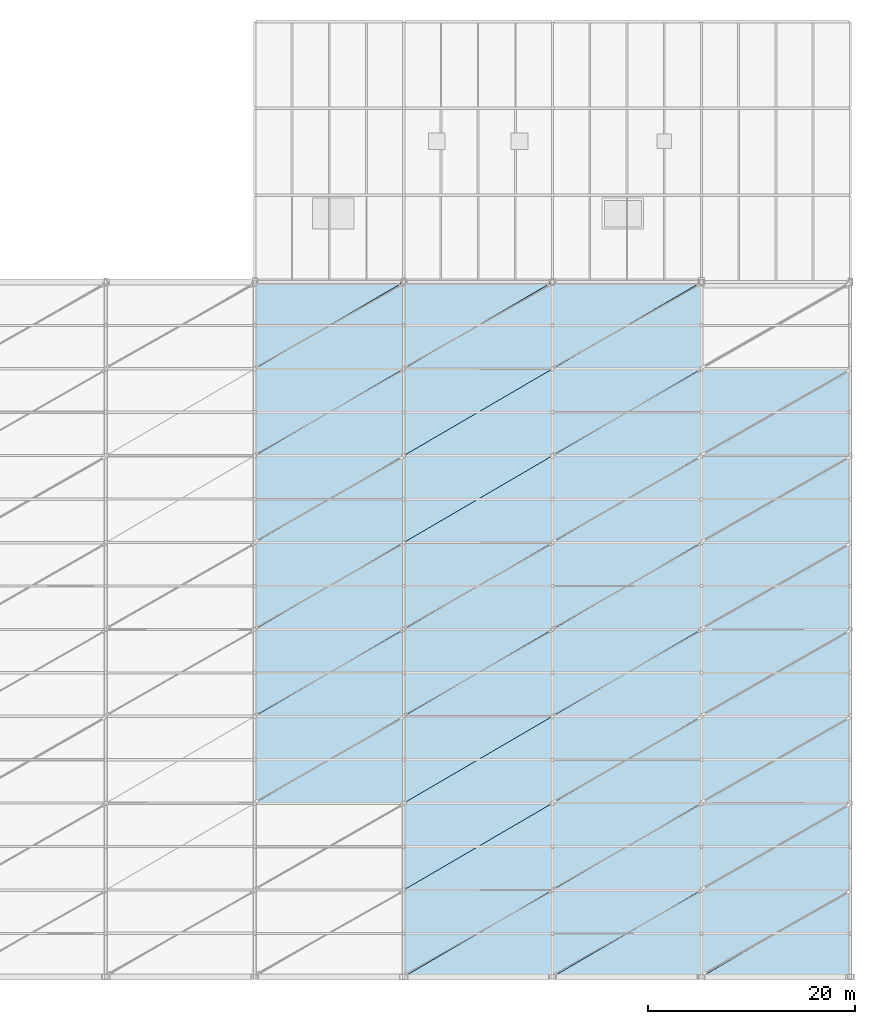
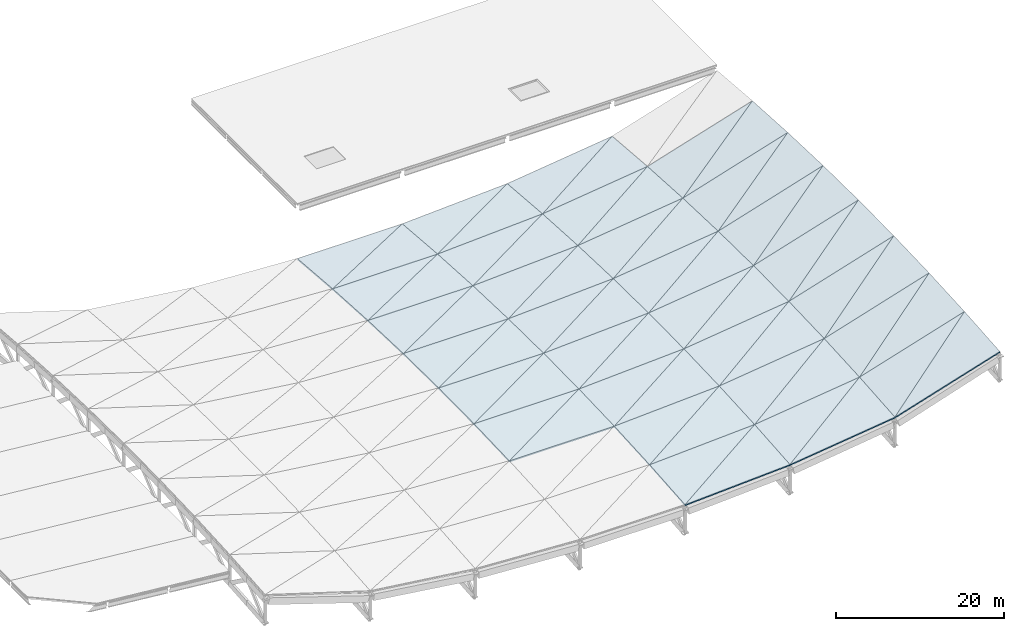
# One storey, part 13 of 22: 58 slabs.
"""IFC4 building model written with IfcOpenShell, lengths in metres."""

from ifc_helpers import new_model, si_unit, direction, frame, origin, place, context, subcontext, project, spatial, polyline, outline, extrude, material, layer, layer_set, type_object, element, save


model = new_model("IFC4")

# Units and contexts
model_context = context("Model", 3, precision=1e-05, world=origin(), true_north=direction((0.0, 1.0)))
body_context = subcontext(model_context, "Body", "Model", "MODEL_VIEW")
ifc_project = project(units=[si_unit("LENGTHUNIT", "METRE"), si_unit("AREAUNIT", "SQUARE_METRE"), si_unit("VOLUMEUNIT", "CUBIC_METRE"), si_unit("PLANEANGLEUNIT", "RADIAN"), si_unit("MASSUNIT", "GRAM", prefix="KILO"), si_unit("THERMODYNAMICTEMPERATUREUNIT", "KELVIN")], contexts=[model_context])

# Site, building, storey
site_placement = place(None, origin())
site = spatial("IfcSite", under=ifc_project, at=site_placement, CompositionType="ELEMENT")
building_placement = place(site_placement, origin())
building = spatial("IfcBuilding", under=site, at=building_placement, Name="Nduvali Passage Aquatics Centre", CompositionType="ELEMENT")
storey_placement = place(building_placement, frame((0.0, 0.0, 21.60009765625)))
storey = spatial("IfcBuildingStorey", under=building, at=storey_placement, Name="RF", CompositionType="ELEMENT", Elevation=21.60009765625)

# Slabs
ifc_material = material(Name="Glulam GL28h", Category="wood")
ifc_layer = layer(ifc_material, 0.169921875, Name="Glulam GL28h")
ifc_layer_set = layer_set([ifc_layer], Name="Glulam GL28h")
slab_type = type_object("IfcSlabType", Name="STR-SLB-ROOF170", PredefinedType="ROOF", material=ifc_layer_set)
slab_1_placement = place(storey_placement, frame((68.39990234375, 42.0, -6.70556640625), z_axis=(0.0, -0.035697746763, 0.999362632319), x_axis=(1.0, 0.0, 0.0)))
element("IfcSlab", 1, at=slab_1_placement, inside=storey, type_object=slab_type, Name="Pool Hall Saddle Roof Deck Panel B4-P3-T1", PredefinedType="ROOF", context=body_context, shape_type="SweptSolid", body=[
    extrude(outline(polyline([(0.0, 0.0), (14.400146484375, 0.0), (14.400146484375, 8.405259584557513), (0.0, 0.0)])), origin(), (0.0, 0.0, -1.0), 0.169921875),
])
slab_2_placement = place(storey_placement, frame((68.39990234375, 42.0, -6.70556640625), z_axis=(0.0, -0.035697746763, 0.999362632319), x_axis=(0.863643809628, 0.503781240596, 0.017995324789)))
element("IfcSlab", 2, at=slab_2_placement, inside=storey, type_object=slab_type, Name="Pool Hall Saddle Roof Deck Panel B4-P3-T2", PredefinedType="ROOF", context=body_context, shape_type="SweptSolid", body=[
    extrude(outline(polyline([(0.0, 0.0), (16.673710068705574, -1.9116652705264414e-15), (4.237112699734054, 7.259150408522222), (0.0, 0.0)])), origin(), (0.0, 0.0, -1.0), 0.169921875),
])
slab_3_placement = place(storey_placement, frame((68.39990234375, 50.39990234375, -6.405517578125), z_axis=(0.0, -0.011886276237, 0.999929355723), x_axis=(1.0, 0.0, 0.0)))
element("IfcSlab", 3, at=slab_3_placement, inside=storey, type_object=slab_type, Name="Pool Hall Saddle Roof Deck Panel B4-P4-T1", PredefinedType="ROOF", context=body_context, shape_type="SweptSolid", body=[
    extrude(outline(polyline([(0.0, 0.0), (14.400146484375, 0.0), (14.400146484375, 8.400739948572408), (0.0, 0.0)])), origin(), (0.0, 0.0, -1.0), 0.169921875),
])
slab_4_placement = place(storey_placement, frame((68.39990234375, 50.39990234375, -6.405517578125), z_axis=(0.0, -0.011886276237, 0.999929355723), x_axis=(0.863761813698, 0.503864719053, 0.005989498361)))
element("IfcSlab", 4, at=slab_4_placement, inside=storey, type_object=slab_type, Name="Pool Hall Saddle Roof Deck Panel B4-P4-T2", PredefinedType="ROOF", context=body_context, shape_type="SweptSolid", body=[
    extrude(outline(polyline([(0.0, 0.0), (16.67143216568385, 1.463672932855431e-15), (4.233135520822576, 7.256238374384522), (0.0, 0.0)])), origin(), (0.0, 0.0, -1.0), 0.169921875),
])
slab_5_placement = place(storey_placement, frame((68.39990234375, 58.800048828125, -6.3056640625), z_axis=(0.0, 0.011886621659, 0.999929351617), x_axis=(1.0, 0.0, 0.0)))
element("IfcSlab", 5, at=slab_5_placement, inside=storey, type_object=slab_type, Name="Pool Hall Saddle Roof Deck Panel B4-P5-T1", PredefinedType="ROOF", context=body_context, shape_type="SweptSolid", body=[
    extrude(outline(polyline([(0.0, 0.0), (14.400146484375, 0.0), (14.400146484375, 8.400495825195048), (0.0, 0.0)])), origin(), (0.0, 0.0, -1.0), 0.169921875),
])
slab_6_placement = place(storey_placement, frame((68.39990234375, 58.800048828125, -6.3056640625), z_axis=(0.0, 0.011886621659, 0.999929351617), x_axis=(0.863768187133, 0.503853792559, -0.005989542555)))
element("IfcSlab", 6, at=slab_6_placement, inside=storey, type_object=slab_type, Name="Pool Hall Saddle Roof Deck Panel B4-P5-T2", PredefinedType="ROOF", context=body_context, shape_type="SweptSolid", body=[
    extrude(outline(polyline([(0.0, 0.0), (16.671309153170217, 3.172375556692586e-16), (4.232920729905613, 7.256081049950776), (0.0, 0.0)])), origin(), (0.0, 0.0, -1.0), 0.169921875),
])
slab_7_placement = place(storey_placement, frame((68.39990234375, 67.199951171875, -6.405517578125), z_axis=(0.0, 0.035696710571, 0.999362669332), x_axis=(1.0, 0.0, 0.0)))
element("IfcSlab", 7, at=slab_7_placement, inside=storey, type_object=slab_type, Name="Pool Hall Saddle Roof Deck Panel B4-P6-T1", PredefinedType="ROOF", context=body_context, shape_type="SweptSolid", body=[
    extrude(outline(polyline([(0.0, 0.0), (14.400146484375, 0.0), (14.400146484375, 8.405503569579686), (0.0, 0.0)])), origin(), (0.0, 0.0, -1.0), 0.169921875),
])
slab_8_placement = place(storey_placement, frame((68.39990234375, 67.199951171875, -6.405517578125), z_axis=(0.0, 0.035696710571, 0.999362669332), x_axis=(0.863637438946, 0.503792166587, -0.017995192046)))
element("IfcSlab", 8, at=slab_8_placement, inside=storey, type_object=slab_type, Name="Pool Hall Saddle Roof Deck Panel B4-P6-T2", PredefinedType="ROOF", context=body_context, shape_type="SweptSolid", body=[
    extrude(outline(polyline([(0.0, 0.0), (16.67383306350626, 8.344019919448442e-16), (4.237327433297434, 7.259307575880901), (0.0, 0.0)])), origin(), (0.0, 0.0, -1.0), 0.169921875),
])
slab_9_placement = place(storey_placement, frame((68.39990234375, 75.60009765625, -6.70556640625), z_axis=(0.0, 0.059419328339, 0.998233110761), x_axis=(1.0, 0.0, 0.0)))
element("IfcSlab", 9, at=slab_9_placement, inside=storey, type_object=slab_type, Name="Pool Hall Saddle Roof Deck Panel B4-P7-T1", PredefinedType="ROOF", context=body_context, shape_type="SweptSolid", body=[
    extrude(outline(polyline([(0.0, 0.0), (14.400146484375, 0.0), (14.400146484375, 8.414770310860346), (0.0, 0.0)])), origin(), (0.0, 0.0, -1.0), 0.169921875),
])
slab_10_placement = place(storey_placement, frame((68.39990234375, 75.60009765625, -6.70556640625), z_axis=(0.0, 0.059419328339, 0.998233110761), x_axis=(0.863395442994, 0.503636363217, -0.029978703478)))
element("IfcSlab", 10, at=slab_10_placement, inside=storey, type_object=slab_type, Name="Pool Hall Saddle Roof Deck Panel B4-P7-T2", PredefinedType="ROOF", context=body_context, shape_type="SweptSolid", body=[
    extrude(outline(polyline([(0.0, 0.0), (16.67850647258304, 6.938893903907228e-16), (4.245485619526848, 7.265274340238467), (0.0, 0.0)])), origin(), (0.0, 0.0, -1.0), 0.169921875),
])
slab_11_placement = place(storey_placement, frame((68.39990234375, 84.0, -7.20556640625), z_axis=(0.0, 0.08304068576, 0.996546157741), x_axis=(1.0, 0.0, 0.0)))
element("IfcSlab", 11, at=slab_11_placement, inside=storey, type_object=slab_type, Name="Pool Hall Saddle Roof Deck Panel B4-P8-T1", PredefinedType="ROOF", context=body_context, shape_type="SweptSolid", body=[
    extrude(outline(polyline([(0.0, 0.0), (14.400146484375, 0.0), (14.400146484375, 8.429014831375367), (0.0, 0.0)])), origin(), (0.0, 0.0, -1.0), 0.169921875),
])
slab_12_placement = place(storey_placement, frame((68.39990234375, 84.0, -7.20556640625), z_axis=(0.0, 0.08304068576, 0.996546157741), x_axis=(0.863023332313, 0.503419303385, -0.041949169994)))
element("IfcSlab", 12, at=slab_12_placement, inside=storey, type_object=slab_type, Name="Pool Hall Saddle Roof Deck Panel B4-P8-T2", PredefinedType="ROOF", context=body_context, shape_type="SweptSolid", body=[
    extrude(outline(polyline([(0.0, 0.0), (16.685697761825953, -3.0531133177191805e-16), (4.258035357088415, 7.274436467887453), (0.0, 0.0)])), origin(), (0.0, 0.0, -1.0), 0.169921875),
])
slab_13_placement = place(storey_placement, frame((82.800048828125, 25.199951171875, -7.905517578125), z_axis=(-0.054660457866, -0.082914146649, 0.99505652032), x_axis=(0.99849464295, 0.0, 0.054849320863)))
element("IfcSlab", 13, at=slab_13_placement, inside=storey, type_object=slab_type, Name="Pool Hall Saddle Roof Deck Panel B5-P1-T1", PredefinedType="ROOF", context=body_context, shape_type="SweptSolid", body=[
    extrude(outline(polyline([(0.0, 0.0), (14.421612019068148, 1.3877787807814457e-17), (14.460003865482967, 8.429170698716199), (0.0, 0.0)])), origin(), (0.0, 0.0, -1.0), 0.169921875),
])
slab_14_placement = place(storey_placement, frame((82.800048828125, 25.199951171875, -7.905517578125), z_axis=(-0.054660457866, -0.082914146649, 0.99505652032), x_axis=(0.860339664399, 0.501876959631, 0.089079623114)))
element("IfcSlab", 14, at=slab_14_placement, inside=storey, type_object=slab_type, Name="Pool Hall Saddle Roof Deck Panel B5-P1-T2", PredefinedType="ROOF", context=body_context, shape_type="SweptSolid", body=[
    extrude(outline(polyline([(0.0, 0.0), (16.737461888168056, 1.3877787807814457e-16), (4.278191364622397, 7.262883122399618), (0.0, 0.0)])), origin(), (0.0, 0.0, -1.0), 0.169921875),
])
slab_15_placement = place(storey_placement, frame((82.800048828125, 33.60009765625, -7.20556640625), z_axis=(-0.054752698975, -0.059330196132, 0.996735707087), x_axis=(0.99849464295, 0.0, 0.054849320863)))
element("IfcSlab", 15, at=slab_15_placement, inside=storey, type_object=slab_type, Name="Pool Hall Saddle Roof Deck Panel B5-P2-T1", PredefinedType="ROOF", context=body_context, shape_type="SweptSolid", body=[
    extrude(outline(polyline([(0.0, 0.0), (14.421612019068148, 0.0), (14.449036679499802, 8.41472562075181), (0.0, 0.0)])), origin(), (0.0, 0.0, -1.0), 0.169921875),
])
slab_16_placement = place(storey_placement, frame((82.800048828125, 33.60009765625, -7.20556640625), z_axis=(-0.054752698975, -0.059330196132, 0.996735707087), x_axis=(0.861201415256, 0.502365058718, 0.077210557185)))
element("IfcSlab", 16, at=slab_16_placement, inside=storey, type_object=slab_type, Name="Pool Hall Saddle Roof Deck Panel B5-P2-T2", PredefinedType="ROOF", context=body_context, shape_type="SweptSolid", body=[
    extrude(outline(polyline([(0.0, 0.0), (16.72071374786578, 7.806255641895632e-16), (4.258422712734088, 7.257699041997209), (0.0, 0.0)])), origin(), (0.0, 0.0, -1.0), 0.169921875),
])
slab_17_placement = place(storey_placement, frame((82.800048828125, 42.0, -6.70556640625), z_axis=(-0.054814466752, -0.035644077233, 0.997860147512), x_axis=(0.99849464295, 0.0, 0.054849320863)))
element("IfcSlab", 17, at=slab_17_placement, inside=storey, type_object=slab_type, Name="Pool Hall Saddle Roof Deck Panel B5-P3-T1", PredefinedType="ROOF", context=body_context, shape_type="SweptSolid", body=[
    extrude(outline(polyline([(0.0, 0.0), (14.421612019068148, 3.469446951953614e-18), (14.438069493516636, 8.405243472697903), (0.0, 0.0)])), origin(), (0.0, 0.0, -1.0), 0.169921875),
])
slab_18_placement = place(storey_placement, frame((82.800048828125, 42.0, -6.70556640625), z_axis=(-0.054814466752, -0.035644077233, 0.997860147512), x_axis=(0.861935930412, 0.502793523817, 0.065307918908)))
element("IfcSlab", 18, at=slab_18_placement, inside=storey, type_object=slab_type, Name="Pool Hall Saddle Roof Deck Panel B5-P3-T2", PredefinedType="ROOF", context=body_context, shape_type="SweptSolid", body=[
    extrude(outline(polyline([(0.0, 0.0), (16.70646487246618, -9.75781955236954e-17), (4.243012063667166, 7.255703777813067), (0.0, 0.0)])), origin(), (0.0, 0.0, -1.0), 0.169921875),
])
slab_19_placement = place(storey_placement, frame((82.800048828125, 50.39990234375, -6.405517578125), z_axis=(-0.054845438817, -0.011897399625, 0.998423972931), x_axis=(0.99849464295, 0.0, 0.054849320863)))
element("IfcSlab", 19, at=slab_19_placement, inside=storey, type_object=slab_type, Name="Pool Hall Saddle Roof Deck Panel B5-P4-T1", PredefinedType="ROOF", context=body_context, shape_type="SweptSolid", body=[
    extrude(outline(polyline([(0.0, 0.0), (14.421612019068148, 0.0), (14.42710230753347, 8.400741059958756), (0.0, 0.0)])), origin(), (0.0, 0.0, -1.0), 0.169921875),
])
slab_20_placement = place(storey_placement, frame((82.800048828125, 50.39990234375, -6.405517578125), z_axis=(-0.054862334397, -0.011868374649, 0.998423390125), x_axis=(0.862542223577, 0.503161816938, 0.053376947476)))
element("IfcSlab", 20, at=slab_20_placement, inside=storey, type_object=slab_type, Name="Pool Hall Saddle Roof Deck Panel B5-P4-T2", PredefinedType="ROOF", context=body_context, shape_type="SweptSolid", body=[
    extrude(outline(polyline([(0.0, 0.0), (16.694721661307042, 1.1362438767648086e-15), (4.231962843481109, 7.256922362471273), (0.0, 0.0)])), origin(), (0.0, 0.0, -1.0), 0.169921875),
])
slab_21_placement = place(storey_placement, frame((82.800048828125, 58.800048828125, -6.3056640625), z_axis=(-0.054862315254, 0.011897734323, 0.998423041743), x_axis=(0.998493715673, 0.0, 0.054866198713)))
element("IfcSlab", 21, at=slab_21_placement, inside=storey, type_object=slab_type, Name="Pool Hall Saddle Roof Deck Panel B5-P5-T1", PredefinedType="ROOF", context=body_context, shape_type="SweptSolid", body=[
    extrude(outline(polyline([(0.0, 0.0), (14.421625412075912, 0.0), (14.416133434177382, 8.400496935509366), (0.0, 0.0)])), origin(), (0.0, 0.0, -1.0), 0.169921875),
])
slab_22_placement = place(storey_placement, frame((82.800048828125, 58.800048828125, -6.3056640625), z_axis=(-0.054845457504, 0.011868730572, 0.998424313118), x_axis=(0.863038549365, 0.50343671509, 0.041423860385)))
element("IfcSlab", 22, at=slab_22_placement, inside=storey, type_object=slab_type, Name="Pool Hall Saddle Roof Deck Panel B5-P5-T2", PredefinedType="ROOF", context=body_context, shape_type="SweptSolid", body=[
    extrude(outline(polyline([(0.0, 0.0), (16.685120675485365, -2.1163626406917047e-16), (4.224682924925765, 7.260880407564919), (0.0, 0.0)])), origin(), (0.0, 0.0, -1.0), 0.169921875),
])
slab_23_placement = place(storey_placement, frame((82.800048828125, 67.199951171875, -6.405517578125), z_axis=(-0.054814468776, 0.035643042595, 0.997860184358), x_axis=(0.99849464295, 0.0, 0.054849320863)))
element("IfcSlab", 23, at=slab_23_placement, inside=storey, type_object=slab_type, Name="Pool Hall Saddle Roof Deck Panel B5-P6-T1", PredefinedType="ROOF", context=body_context, shape_type="SweptSolid", body=[
    extrude(outline(polyline([(0.0, 0.0), (14.421612019068148, -6.938893903907228e-18), (14.405154544619661, 8.405487458187755), (0.0, 0.0)])), origin(), (0.0, 0.0, -1.0), 0.169921875),
])
slab_24_placement = place(storey_placement, frame((82.800048828125, 67.199951171875, -6.405517578125), z_axis=(-0.054814468776, 0.035643042595, 0.997860184358), x_axis=(0.863399243883, 0.503661757558, 0.02943772472)))
element("IfcSlab", 24, at=slab_24_placement, inside=storey, type_object=slab_type, Name="Pool Hall Saddle Roof Deck Panel B5-P6-T2", PredefinedType="ROOF", context=body_context, shape_type="SweptSolid", body=[
    extrude(outline(polyline([(0.0, 0.0), (16.678150283053817, 9.055256544598933e-16), (4.221999787257812, 7.268232801349435), (0.0, 0.0)])), origin(), (0.0, 0.0, -1.0), 0.169921875),
])
slab_25_placement = place(storey_placement, frame((82.800048828125, 75.60009765625, -6.70556640625), z_axis=(-0.054752698975, 0.059330196132, 0.996735707087), x_axis=(0.99849464295, 0.0, 0.054849320863)))
element("IfcSlab", 25, at=slab_25_placement, inside=storey, type_object=slab_type, Name="Pool Hall Saddle Roof Deck Panel B5-P7-T1", PredefinedType="ROOF", context=body_context, shape_type="SweptSolid", body=[
    extrude(outline(polyline([(0.0, 0.0), (14.421612019068148, 0.0), (14.394187358636495, 8.41472562075181), (0.0, 0.0)])), origin(), (0.0, 0.0, -1.0), 0.169921875),
])
slab_26_placement = place(storey_placement, frame((82.800048828125, 75.60009765625, -6.70556640625), z_axis=(-0.054752698975, 0.059330196132, 0.996735707087), x_axis=(0.86364838207, 0.503792449112, 0.017453949873)))
element("IfcSlab", 26, at=slab_26_placement, inside=storey, type_object=slab_type, Name="Pool Hall Saddle Roof Deck Panel B5-P7-T2", PredefinedType="ROOF", context=body_context, shape_type="SweptSolid", body=[
    extrude(outline(polyline([(0.0, 0.0), (16.67333910733143, -1.033895191682177e-15), (4.223080399119065, 7.278320639207447), (0.0, 0.0)])), origin(), (0.0, 0.0, -1.0), 0.169921875),
])
slab_27_placement = place(storey_placement, frame((82.800048828125, 84.0, -7.20556640625), z_axis=(-0.054660446944, 0.082916539956, 0.995056321492), x_axis=(0.99849464295, 0.0, 0.054849320863)))
element("IfcSlab", 27, at=slab_27_placement, inside=storey, type_object=slab_type, Name="Pool Hall Saddle Roof Deck Panel B5-P8-T1", PredefinedType="ROOF", context=body_context, shape_type="SweptSolid", body=[
    extrude(outline(polyline([(0.0, 0.0), (14.421612019068148, -1.3877787807814457e-17), (14.383220172653328, 8.428927398766392), (0.0, 0.0)])), origin(), (0.0, 0.0, -1.0), 0.169921875),
])
slab_28_placement = place(storey_placement, frame((82.800048828125, 84.0, -7.20556640625), z_axis=(-0.054660446944, 0.082916539956, 0.995056321492), x_axis=(0.863767076318, 0.503861687087, 0.005462431241)))
element("IfcSlab", 28, at=slab_28_placement, inside=storey, type_object=slab_type, Name="Pool Hall Saddle Roof Deck Panel B5-P8-T2", PredefinedType="ROOF", context=body_context, shape_type="SweptSolid", body=[
    extrude(outline(polyline([(0.0, 0.0), (16.671047946325885, -6.071532165918825e-17), (4.228565531142389, 7.291606446893607), (0.0, 0.0)])), origin(), (0.0, 0.0, -1.0), 0.169921875),
])
slab_29_placement = place(storey_placement, frame((97.199951171875, 25.199951171875, -7.114501953125), z_axis=(-0.126024299833, -0.082376237496, 0.988601047616), x_axis=(0.991972462267, 0.0, 0.126454079036)))
element("IfcSlab", 29, at=slab_29_placement, inside=storey, type_object=slab_type, Name="Pool Hall Saddle Roof Deck Panel B6-P1-T1", PredefinedType="ROOF", context=body_context, shape_type="SweptSolid", body=[
    extrude(outline(polyline([(0.0, 0.0), (14.516679678256704, -2.7755575615628914e-17), (14.605191359066346, 8.42879340619564), (0.0, 0.0)])), origin(), (0.0, 0.0, -1.0), 0.169921875),
])
slab_30_placement = place(storey_placement, frame((97.199951171875, 25.199951171875, -7.114501953125), z_axis=(-0.126024299833, -0.082376237496, 0.988601047616), x_axis=(0.853956167912, 0.49814471745, 0.150368559753)))
element("IfcSlab", 30, at=slab_30_placement, inside=storey, type_object=slab_type, Name="Pool Hall Saddle Roof Deck Panel B6-P1-T2", PredefinedType="ROOF", context=body_context, shape_type="SweptSolid", body=[
    extrude(outline(polyline([(0.0, 0.0), (16.862863722371518, 1.8041124150158794e-16), (4.289739246608307, 7.256068480801105), (0.0, 0.0)])), origin(), (0.0, 0.0, -1.0), 0.169921875),
])
slab_31_placement = place(storey_placement, frame((97.199951171875, 33.60009765625, -6.41455078125), z_axis=(-0.126234212165, -0.058944001376, 0.990247710616), x_axis=(0.991972462267, 0.0, 0.126454079036)))
element("IfcSlab", 31, at=slab_31_placement, inside=storey, type_object=slab_type, Name="Pool Hall Saddle Roof Deck Panel B6-P2-T1", PredefinedType="ROOF", context=body_context, shape_type="SweptSolid", body=[
    extrude(outline(polyline([(0.0, 0.0), (14.516679678256704, -1.3877787807814457e-17), (14.579906717774719, 8.414532769322998), (0.0, 0.0)])), origin(), (0.0, 0.0, -1.0), 0.169921875),
])
slab_32_placement = place(storey_placement, frame((97.199951171875, 33.60009765625, -6.41455078125), z_axis=(-0.126234212165, -0.058944001376, 0.990247710616), x_axis=(0.855428691518, 0.498989192824, 0.138749915938)))
element("IfcSlab", 32, at=slab_32_placement, inside=storey, type_object=slab_type, Name="Pool Hall Saddle Roof Deck Panel B6-P2-T2", PredefinedType="ROOF", context=body_context, shape_type="SweptSolid", body=[
    extrude(outline(polyline([(0.0, 0.0), (16.833836212373665, 0.0), (4.260835448280179, 7.2562828409052385), (0.0, 0.0)])), origin(), (0.0, 0.0, -1.0), 0.169921875),
])
slab_33_placement = place(storey_placement, frame((97.199951171875, 42.0, -5.91455078125), z_axis=(-0.12637476889, -0.035411542552, 0.991350311667), x_axis=(0.991972462267, 0.0, 0.126454079036)))
element("IfcSlab", 33, at=slab_33_placement, inside=storey, type_object=slab_type, Name="Pool Hall Saddle Roof Deck Panel B6-P3-T1", PredefinedType="ROOF", context=body_context, shape_type="SweptSolid", body=[
    extrude(outline(polyline([(0.0, 0.0), (14.516679678256704, 0.0), (14.55462207648309, 8.405173945743941), (0.0, 0.0)])), origin(), (0.0, 0.0, -1.0), 0.169921875),
])
slab_34_placement = place(storey_placement, frame((97.199951171875, 42.0, -5.91455078125), z_axis=(-0.12637476889, -0.035411542552, 0.991350311667), x_axis=(0.856781348573, 0.499778225574, 0.127072601213)))
element("IfcSlab", 34, at=slab_34_placement, inside=storey, type_object=slab_type, Name="Pool Hall Saddle Roof Deck Panel B6-P3-T2", PredefinedType="ROOF", context=body_context, shape_type="SweptSolid", body=[
    extrude(outline(polyline([(0.0, 0.0), (16.807259528175965, 3.885780586188048e-16), (4.2362162734331426, 7.259673571759007), (0.0, 0.0)])), origin(), (0.0, 0.0, -1.0), 0.169921875),
])
slab_35_placement = place(storey_placement, frame((97.199951171875, 50.39990234375, -5.614501953125), z_axis=(-0.12644524558, -0.011819696541, 0.991903167978), x_axis=(0.991972462267, 0.0, 0.126454079036)))
element("IfcSlab", 35, at=slab_35_placement, inside=storey, type_object=slab_type, Name="Pool Hall Saddle Roof Deck Panel B6-P4-T1", PredefinedType="ROOF", context=body_context, shape_type="SweptSolid", body=[
    extrude(outline(polyline([(0.0, 0.0), (14.516679678256704, 0.0), (14.529337435191463, 8.400733318046335), (0.0, 0.0)])), origin(), (0.0, 0.0, -1.0), 0.169921875),
])
slab_36_placement = place(storey_placement, frame((97.199951171875, 50.39990234375, -5.614501953125), z_axis=(-0.12644524558, -0.011819696541, 0.991903167978), x_axis=(0.858012381833, 0.500510859429, 0.115341372523)))
element("IfcSlab", 36, at=slab_36_placement, inside=storey, type_object=slab_type, Name="Pool Hall Saddle Roof Deck Panel B6-P4-T2", PredefinedType="ROOF", context=body_context, shape_type="SweptSolid", body=[
    extrude(outline(polyline([(0.0, 0.0), (16.783145312681704, -1.2212453270876722e-15), (4.215909937283724, 7.266263407037812), (0.0, 0.0)])), origin(), (0.0, 0.0, -1.0), 0.169921875),
])
slab_37_placement = place(storey_placement, frame((97.199951171875, 58.800048828125, -5.514404296875), z_axis=(-0.126445245066, 0.011820040028, 0.99190316395), x_axis=(0.991972462267, 0.0, 0.126454079036)))
element("IfcSlab", 37, at=slab_37_placement, inside=storey, type_object=slab_type, Name="Pool Hall Saddle Roof Deck Panel B6-P5-T1", PredefinedType="ROOF", context=body_context, shape_type="SweptSolid", body=[
    extrude(outline(polyline([(0.0, 0.0), (14.516679678256704, 0.0), (14.504021921321945, 8.400489194476288), (0.0, 0.0)])), origin(), (0.0, 0.0, -1.0), 0.169921875),
])
slab_38_placement = place(storey_placement, frame((97.199951171875, 58.800048828125, -5.514404296875), z_axis=(-0.126445245066, 0.011820040028, 0.99190316395), x_axis=(0.859140289101, 0.50115424422, 0.103548960128)))
element("IfcSlab", 38, at=slab_38_placement, inside=storey, type_object=slab_type, Name="Pool Hall Saddle Roof Deck Panel B6-P5-T2", PredefinedType="ROOF", context=body_context, shape_type="SweptSolid", body=[
    extrude(outline(polyline([(0.0, 0.0), (16.761111854548922, -1.4710455076283324e-15), (4.19928170238624, 7.275603899974738), (0.0, 0.0)])), origin(), (0.0, 0.0, -1.0), 0.169921875),
])
slab_39_placement = place(storey_placement, frame((97.199951171875, 67.199951171875, -5.614501953125), z_axis=(-0.126374773495, 0.035410514646, 0.991350347797), x_axis=(0.991972462267, 0.0, 0.126454079036)))
element("IfcSlab", 39, at=slab_39_placement, inside=storey, type_object=slab_type, Name="Pool Hall Saddle Roof Deck Panel B6-P6-T1", PredefinedType="ROOF", context=body_context, shape_type="SweptSolid", body=[
    extrude(outline(polyline([(0.0, 0.0), (14.516679678256704, 0.0), (14.478737280030316, 8.405417933251963), (0.0, 0.0)])), origin(), (0.0, 0.0, -1.0), 0.169921875),
])
slab_40_placement = place(storey_placement, frame((97.199951171875, 67.199951171875, -5.614501953125), z_axis=(-0.126374773495, 0.035410514646, 0.991350347797), x_axis=(0.860135894739, 0.501749584292, 0.091725662952)))
element("IfcSlab", 40, at=slab_40_placement, inside=storey, type_object=slab_type, Name="Pool Hall Saddle Roof Deck Panel B6-P6-T2", PredefinedType="ROOF", context=body_context, shape_type="SweptSolid", body=[
    extrude(outline(polyline([(0.0, 0.0), (16.74171089992816, 1.6653345369377348e-16), (4.187247828848864, 7.288308848972947), (0.0, 0.0)])), origin(), (0.0, 0.0, -1.0), 0.169921875),
])
slab_41_placement = place(storey_placement, frame((97.199951171875, 75.60009765625, -5.91455078125), z_axis=(-0.126234212165, 0.058944001376, 0.990247710616), x_axis=(0.991972462267, 0.0, 0.126454079036)))
element("IfcSlab", 41, at=slab_41_placement, inside=storey, type_object=slab_type, Name="Pool Hall Saddle Roof Deck Panel B6-P7-T1", PredefinedType="ROOF", context=body_context, shape_type="SweptSolid", body=[
    extrude(outline(polyline([(0.0, 0.0), (14.516679678256704, 1.3877787807814457e-17), (14.453452638738689, 8.414532769322996), (0.0, 0.0)])), origin(), (0.0, 0.0, -1.0), 0.169921875),
])
slab_42_placement = place(storey_placement, frame((97.199951171875, 75.60009765625, -5.91455078125), z_axis=(-0.126234212165, 0.058944001376, 0.990247710616), x_axis=(0.861024501947, 0.502253344421, 0.0798647924)))
element("IfcSlab", 42, at=slab_42_placement, inside=storey, type_object=slab_type, Name="Pool Hall Saddle Roof Deck Panel B6-P7-T2", PredefinedType="ROOF", context=body_context, shape_type="SweptSolid", body=[
    extrude(outline(polyline([(0.0, 0.0), (16.724432872485476, -5.551115123125783e-16), (4.178946648757876, 7.303750015668119), (0.0, 0.0)])), origin(), (0.0, 0.0, -1.0), 0.169921875),
])
slab_43_placement = place(storey_placement, frame((97.199951171875, 84.0, -6.41455078125), z_axis=(-0.126024274977, 0.082378615489, 0.988600852633), x_axis=(0.991972462267, 0.0, 0.126454079036)))
element("IfcSlab", 43, at=slab_43_placement, inside=storey, type_object=slab_type, Name="Pool Hall Saddle Roof Deck Panel B6-P8-T1", PredefinedType="ROOF", context=body_context, shape_type="SweptSolid", body=[
    extrude(outline(polyline([(0.0, 0.0), (14.516679678256704, 0.0), (14.42816799744706, 8.428550095354847), (0.0, 0.0)])), origin(), (0.0, 0.0, -1.0), 0.169921875),
])
slab_44_placement = place(storey_placement, frame((97.199951171875, 84.0, -6.41455078125), z_axis=(-0.126024274977, 0.082378615489, 0.988600852633), x_axis=(0.861786110628, 0.502697606467, 0.067969228195)))
element("IfcSlab", 44, at=slab_44_placement, inside=storey, type_object=slab_type, Name="Pool Hall Saddle Roof Deck Panel B6-P8-T2", PredefinedType="ROOF", context=body_context, shape_type="SweptSolid", body=[
    extrude(outline(polyline([(0.0, 0.0), (16.709652553912115, 7.216449660063518e-16), (4.175035661834573, 7.322388152095974), (0.0, 0.0)])), origin(), (0.0, 0.0, -1.0), 0.169921875),
])
slab_45_placement = place(storey_placement, frame((111.60009765625, 25.199951171875, -5.27880859375), z_axis=(-0.296057741153, -0.079315686122, 0.951871228601), x_axis=(0.954879530446, 0.0, 0.296993404531)))
element("IfcSlab", 45, at=slab_45_placement, inside=storey, type_object=slab_type, Name="Pool Hall Saddle Roof Deck Panel B7-P1-T1", PredefinedType="ROOF", context=body_context, shape_type="SweptSolid", body=[
    extrude(outline(polyline([(0.0, 0.0), (15.080334099340044, 0.0), (15.288214980880529, 8.426694378049843), (0.0, 0.0)])), origin(), (0.0, 0.0, -1.0), 0.169921875),
])
slab_46_placement = place(storey_placement, frame((111.60009765625, 25.199951171875, -5.27880859375), z_axis=(-0.296057741153, -0.079315686122, 0.951871228601), x_axis=(0.824889441692, 0.48119716219, 0.29665923226)))
element("IfcSlab", 46, at=slab_46_placement, inside=storey, type_object=slab_type, Name="Pool Hall Saddle Roof Deck Panel B7-P1-T2", PredefinedType="ROOF", context=body_context, shape_type="SweptSolid", body=[
    extrude(outline(polyline([(0.0, 0.0), (17.456766465834285, -1.6653345369377348e-15), (4.249773627530574, 7.279547837380593), (0.0, 0.0)])), origin(), (0.0, 0.0, -1.0), 0.169921875),
])
slab_47_placement = place(storey_placement, frame((111.60009765625, 33.60009765625, -4.578857421875), z_axis=(-0.296514824274, -0.056747137181, 0.953340821222), x_axis=(0.954879530446, 0.0, 0.296993404531)))
element("IfcSlab", 47, at=slab_47_placement, inside=storey, type_object=slab_type, Name="Pool Hall Saddle Roof Deck Panel B7-P2-T1", PredefinedType="ROOF", context=body_context, shape_type="SweptSolid", body=[
    extrude(outline(polyline([(0.0, 0.0), (15.080334099340043, 5.551115123125783e-17), (15.228830801605445, 8.413459937145541), (0.0, 0.0)])), origin(), (0.0, 0.0, -1.0), 0.169921875),
])
slab_48_placement = place(storey_placement, frame((111.60009765625, 33.60009765625, -4.578857421875), z_axis=(-0.296514824274, -0.056747137181, 0.953340821222), x_axis=(0.82765769453, 0.482797983079, 0.286162276026)))
element("IfcSlab", 48, at=slab_48_placement, inside=storey, type_object=slab_type, Name="Pool Hall Saddle Roof Deck Panel B7-P2-T2", PredefinedType="ROOF", context=body_context, shape_type="SweptSolid", body=[
    extrude(outline(polyline([(0.0, 0.0), (17.398379111224124, -1.3322676295501878e-15), (4.198537047639362, 7.292506156606005), (0.0, 0.0)])), origin(), (0.0, 0.0, -1.0), 0.169921875),
])
slab_49_placement = place(storey_placement, frame((111.60009765625, 42.0, -4.078857421875), z_axis=(-0.296820792673, -0.03408896356, 0.954324556742), x_axis=(0.954879530446, 0.0, 0.296993404531)))
element("IfcSlab", 49, at=slab_49_placement, inside=storey, type_object=slab_type, Name="Pool Hall Saddle Roof Deck Panel B7-P3-T1", PredefinedType="ROOF", context=body_context, shape_type="SweptSolid", body=[
    extrude(outline(polyline([(0.0, 0.0), (15.080334099340043, 0.0), (15.169446622330366, 8.4047871860055), (0.0, 0.0)])), origin(), (0.0, 0.0, -1.0), 0.169921875),
])
slab_50_placement = place(storey_placement, frame((111.60009765625, 42.0, -4.078857421875), z_axis=(-0.296820792673, -0.03408896356, 0.954324556742), x_axis=(0.830337938683, 0.484361451262, 0.275559235221)))
element("IfcSlab", 50, at=slab_50_placement, inside=storey, type_object=slab_type, Name="Pool Hall Saddle Roof Deck Panel B7-P3-T2", PredefinedType="ROOF", context=body_context, shape_type="SweptSolid", body=[
    extrude(outline(polyline([(0.0, 0.0), (17.342218960380254, 2.220446049250313e-15), (4.151270115283251, 7.3085802392634465), (0.0, 0.0)])), origin(), (0.0, 0.0, -1.0), 0.169921875),
])
slab_51_placement = place(storey_placement, frame((111.60009765625, 50.39990234375, -3.77880859375), z_axis=(-0.296974274088, -0.011350032594, 0.954818023128), x_axis=(0.954879530446, 0.0, 0.296993404531)))
element("IfcSlab", 51, at=slab_51_placement, inside=storey, type_object=slab_type, Name="Pool Hall Saddle Roof Deck Panel B7-P4-T1", PredefinedType="ROOF", context=body_context, shape_type="SweptSolid", body=[
    extrude(outline(polyline([(0.0, 0.0), (15.080334099340043, 0.0), (15.10998993489988, 8.400687603699925), (0.0, 0.0)])), origin(), (0.0, 0.0, -1.0), 0.169921875),
])
slab_52_placement = place(storey_placement, frame((111.60009765625, 50.39990234375, -3.77880859375), z_axis=(-0.296959419744, -0.011377834394, 0.954822312218), x_axis=(0.832930350127, 0.485887805717, 0.264839710188)))
element("IfcSlab", 52, at=slab_52_placement, inside=storey, type_object=slab_type, Name="Pool Hall Saddle Roof Deck Panel B7-P4-T2", PredefinedType="ROOF", context=body_context, shape_type="SweptSolid", body=[
    extrude(outline(polyline([(0.0, 0.0), (17.288243058440997, -7.771561172376096e-16), (4.108038577269422, 7.327789540332789), (0.0, 0.0)])), origin(), (0.0, 0.0, -1.0), 0.169921875),
])
slab_53_placement = place(storey_placement, frame((111.60009765625, 58.800048828125, -3.6787109375), z_axis=(-0.296959512281, 0.011350417003, 0.954822609755), x_axis=(0.954884121536, 0.0, 0.296978643068)))
element("IfcSlab", 53, at=slab_53_placement, inside=storey, type_object=slab_type, Name="Pool Hall Saddle Roof Deck Panel B7-P5-T1", PredefinedType="ROOF", context=body_context, shape_type="SweptSolid", body=[
    extrude(outline(polyline([(0.0, 0.0), (15.080261592986572, 6.938893903907228e-18), (15.050607231410662, 8.400443484004814), (0.0, 0.0)])), origin(), (0.0, 0.0, -1.0), 0.169921875),
])
slab_54_placement = place(storey_placement, frame((111.60009765625, 58.800048828125, -3.6787109375), z_axis=(-0.296974179318, 0.011378110346, 0.954817718428), x_axis=(0.835443000131, 0.487339389348, 0.254038015112)))
element("IfcSlab", 54, at=slab_54_placement, inside=storey, type_object=slab_type, Name="Pool Hall Saddle Roof Deck Panel B7-P5-T2", PredefinedType="ROOF", context=body_context, shape_type="SweptSolid", body=[
    extrude(outline(polyline([(0.0, 0.0), (17.23624752555352, 1.2212453270876722e-15), (4.06817466887276, 7.349716578812104), (0.0, 0.0)])), origin(), (0.0, 0.0, -1.0), 0.169921875),
])
slab_55_placement = place(storey_placement, frame((111.60009765625, 67.199951171875, -3.77880859375), z_axis=(-0.296820802697, 0.034087973954, 0.954324588973), x_axis=(0.954879530446, 0.0, 0.296993404531)))
element("IfcSlab", 55, at=slab_55_placement, inside=storey, type_object=slab_type, Name="Pool Hall Saddle Roof Deck Panel B7-P6-T1", PredefinedType="ROOF", context=body_context, shape_type="SweptSolid", body=[
    extrude(outline(polyline([(0.0, 0.0), (15.080334099340043, 0.0), (14.99122157634972, 8.40503118474067), (0.0, 0.0)])), origin(), (0.0, 0.0, -1.0), 0.169921875),
])
slab_56_placement = place(storey_placement, frame((111.60009765625, 67.199951171875, -3.77880859375), z_axis=(-0.296820802697, 0.034087973954, 0.954324588973), x_axis=(0.837853460079, 0.488759689413, 0.243136886215)))
element("IfcSlab", 56, at=slab_56_placement, inside=storey, type_object=slab_type, Name="Pool Hall Saddle Roof Deck Panel B7-P6-T2", PredefinedType="ROOF", context=body_context, shape_type="SweptSolid", body=[
    extrude(outline(polyline([(0.0, 0.0), (17.186659755975754, -2.220446049250313e-16), (4.032700048942858, 7.374945462406696), (0.0, 0.0)])), origin(), (0.0, 0.0, -1.0), 0.169921875),
])
slab_57_placement = place(storey_placement, frame((111.60009765625, 75.60009765625, -4.078857421875), z_axis=(-0.296514824274, 0.056747137181, 0.953340821222), x_axis=(0.954879530446, 0.0, 0.296993404531)))
element("IfcSlab", 57, at=slab_57_placement, inside=storey, type_object=slab_type, Name="Pool Hall Saddle Roof Deck Panel B7-P7-T1", PredefinedType="ROOF", context=body_context, shape_type="SweptSolid", body=[
    extrude(outline(polyline([(0.0, 0.0), (15.080334099340043, -5.551115123125783e-17), (14.93183739707464, 8.41345993714554), (0.0, 0.0)])), origin(), (0.0, 0.0, -1.0), 0.169921875),
])
slab_58_placement = place(storey_placement, frame((111.60009765625, 75.60009765625, -4.078857421875), z_axis=(-0.296514824274, 0.056747137181, 0.953340821222), x_axis=(0.84018226466, 0.490103946931, 0.232146254233)))
element("IfcSlab", 58, at=slab_58_placement, inside=storey, type_object=slab_type, Name="Pool Hall Saddle Roof Deck Panel B7-P7-T2", PredefinedType="ROOF", context=body_context, shape_type="SweptSolid", body=[
    extrude(outline(polyline([(0.0, 0.0), (17.139022030636106, -9.992007221626409e-16), (4.000752165389413, 7.402860359055051), (0.0, 0.0)])), origin(), (0.0, 0.0, -1.0), 0.169921875),
])

save(model, "model.ifc")
